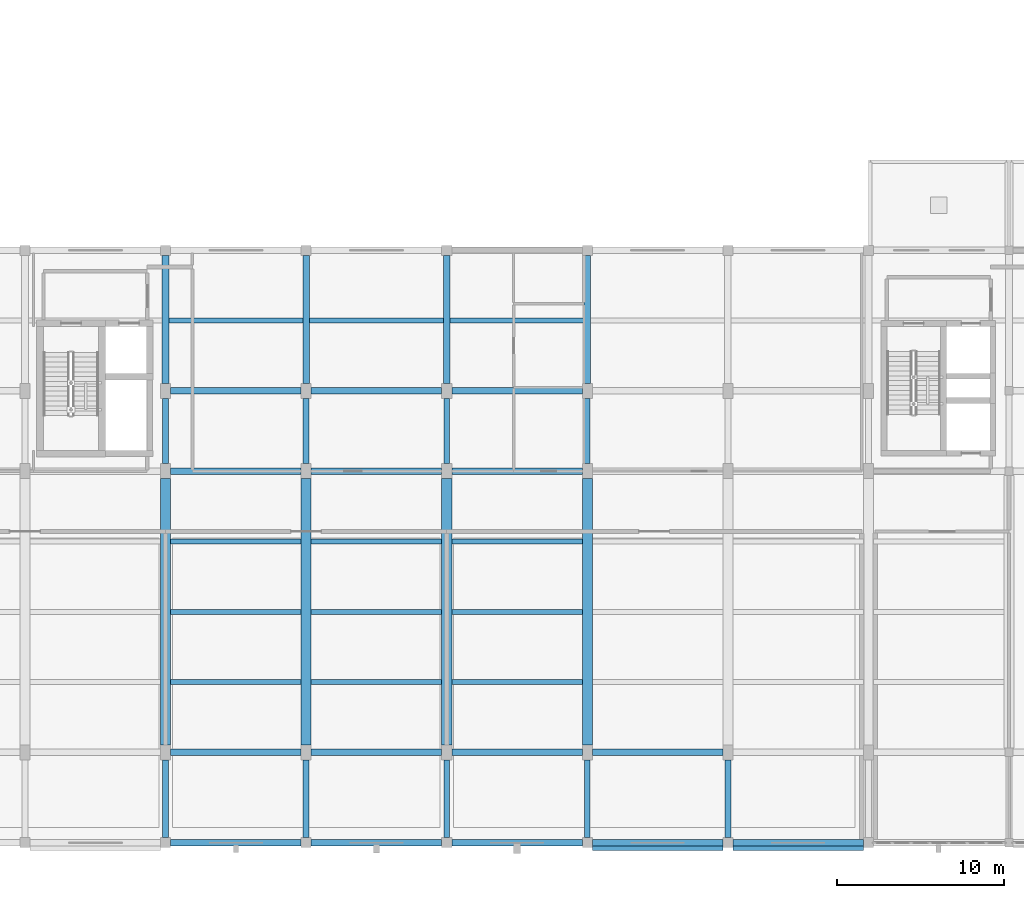
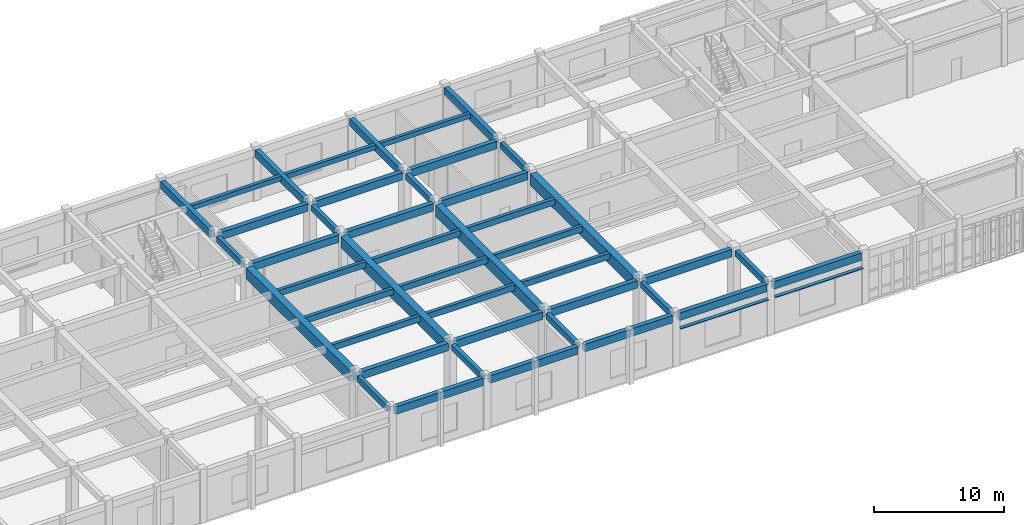
# One storey, part 24 of 93: 44 beams, 2 members.
"""IFC4 building model written with IfcOpenShell, lengths in metres."""

from ifc_helpers import new_model, si_unit, direction, frame, origin, origin_2d, place, context, subcontext, project, spatial, rectangle, hollow_rectangle, extrude, material, material_profile, profile_set, type_object, element, save


model = new_model("IFC4")

# Units and contexts
model_context = context("Model", 3, precision=1e-05, world=origin(), true_north=direction((0.0, 1.0)))
body_context = subcontext(model_context, "Body", "Model", "MODEL_VIEW")
ifc_project = project(units=[si_unit("LENGTHUNIT", "METRE"), si_unit("AREAUNIT", "SQUARE_METRE"), si_unit("VOLUMEUNIT", "CUBIC_METRE"), si_unit("PLANEANGLEUNIT", "RADIAN"), si_unit("MASSUNIT", "GRAM", prefix="KILO")], contexts=[model_context])

# Site, building, storey
site_placement = place(None, origin())
site = spatial("IfcSite", under=ifc_project, at=site_placement, CompositionType="ELEMENT")
building_placement = place(site_placement, origin())
building = spatial("IfcBuilding", under=site, at=building_placement, Name="Krzemoval Escarpment Law Courts", CompositionType="ELEMENT")
storey_placement = place(building_placement, frame((0.0, 0.0, 10.199951171875)))
storey = spatial("IfcBuildingStorey", under=building, at=storey_placement, Name="L02", CompositionType="ELEMENT", Elevation=10.199951171875)

# Beams
ifc_material_1 = material(Name="Concrete C50/60", Category="concrete")
ifc_material_profile_1 = material_profile(ifc_material_1, rectangle(XDim=0.60009765625, YDim=1.050048828125, at=origin_2d()), Name="PTG 600x1050")
ifc_profile_set_1 = profile_set([ifc_material_profile_1], Name="Concrete C50/60")
beam_type_1 = type_object("IfcBeamType", Name="BM-PTG-600x1050", PredefinedType="BEAM", material=ifc_profile_set_1)
for number, where, z_axis, x_axis, name in (
    (1, (67.199951171875, 5.85009765625, 4.295166015625), (0.0, 1.0, 0.0), (-1.0, 0.0, 0.0), "Beam FG-L02-1929"),
    (2, (75.60009765625, 5.85009765625, 4.295166015625), (0.0, 1.0, 0.0), (-1.0, 0.0, 0.0), "Beam FG-L02-1933"),
    (3, (84.0, 5.85009765625, 4.295166015625), (0.0, 1.0, 0.0), (-1.0, 0.0, 0.0), "Beam FG-L02-1937"),
    (4, (92.39990234375, 5.85009765625, 4.295166015625), (0.0, 1.0, 0.0), (-1.0, 0.0, 0.0), "Beam FG-L02-1941"),
):
    element("IfcBeam", number, at=place(storey_placement, frame(where, z_axis=z_axis, x_axis=x_axis)), inside=storey, type_object=beam_type_1, Name=name, PredefinedType="BEAM", context=body_context, shape_type="SweptSolid", body=[
        extrude(rectangle(XDim=0.60009765625, YDim=1.050048828125, at=origin_2d()), origin(), (0.0, 0.0, 1.0), 15.89990234375),
    ])
ifc_material_2 = material(Name="Concrete C40/50", Category="concrete")
ifc_material_profile_2 = material_profile(ifc_material_2, rectangle(XDim=0.35009765625, YDim=0.550048828125, at=origin_2d()), Name="RCB 350x550")
ifc_profile_set_2 = profile_set([ifc_material_profile_2], Name="Concrete C40/50")
beam_type_2 = type_object("IfcBeamType", Name="BM-RC-350x550", PredefinedType="BEAM", material=ifc_profile_set_2)
beam_1_placement = place(storey_placement, frame((67.199951171875, 0.300048828125, 4.545166015625), z_axis=(0.0, 1.0, 0.0), x_axis=(-1.0, 0.0, 0.0)))
element("IfcBeam", 5, at=beam_1_placement, inside=storey, type_object=beam_type_2, Name="Beam FG-L02-1928", PredefinedType="BEAM", context=body_context, shape_type="SweptSolid", body=[
    extrude(rectangle(XDim=0.35009765625, YDim=0.550048828125, at=origin_2d()), origin(), (0.0, 0.0, 1.0), 4.64990234375),
])
beam_2_placement = place(storey_placement, frame((67.199951171875, 22.64990234375, 4.545166015625), z_axis=(0.0, 1.0, 0.0), x_axis=(-1.0, 0.0, 0.0)))
element("IfcBeam", 6, at=beam_2_placement, inside=storey, type_object=beam_type_2, Name="Beam FG-L02-1930", PredefinedType="BEAM", context=body_context, shape_type="SweptSolid", body=[
    extrude(rectangle(XDim=0.35009765625, YDim=0.550048828125, at=origin_2d()), origin(), (0.0, 0.0, 1.0), 3.900146484375),
])
beam_3_placement = place(storey_placement, frame((75.60009765625, 0.300048828125, 4.545166015625), z_axis=(0.0, 1.0, 0.0), x_axis=(-1.0, 0.0, 0.0)))
element("IfcBeam", 7, at=beam_3_placement, inside=storey, type_object=beam_type_2, Name="Beam FG-L02-1932", PredefinedType="BEAM", context=body_context, shape_type="SweptSolid", body=[
    extrude(rectangle(XDim=0.35009765625, YDim=0.550048828125, at=origin_2d()), origin(), (0.0, 0.0, 1.0), 4.64990234375),
])
beam_4_placement = place(storey_placement, frame((75.60009765625, 22.64990234375, 4.545166015625), z_axis=(0.0, 1.0, 0.0), x_axis=(-1.0, 0.0, 0.0)))
element("IfcBeam", 8, at=beam_4_placement, inside=storey, type_object=beam_type_2, Name="Beam FG-L02-1934", PredefinedType="BEAM", context=body_context, shape_type="SweptSolid", body=[
    extrude(rectangle(XDim=0.35009765625, YDim=0.550048828125, at=origin_2d()), origin(), (0.0, 0.0, 1.0), 3.900146484375),
])
beam_5_placement = place(storey_placement, frame((84.0, 0.300048828125, 4.545166015625), z_axis=(0.0, 1.0, 0.0), x_axis=(-1.0, 0.0, 0.0)))
element("IfcBeam", 9, at=beam_5_placement, inside=storey, type_object=beam_type_2, Name="Beam FG-L02-1936", PredefinedType="BEAM", context=body_context, shape_type="SweptSolid", body=[
    extrude(rectangle(XDim=0.35009765625, YDim=0.550048828125, at=origin_2d()), origin(), (0.0, 0.0, 1.0), 4.64990234375),
])
beam_6_placement = place(storey_placement, frame((84.0, 22.64990234375, 4.545166015625), z_axis=(0.0, 1.0, 0.0), x_axis=(-1.0, 0.0, 0.0)))
element("IfcBeam", 10, at=beam_6_placement, inside=storey, type_object=beam_type_2, Name="Beam FG-L02-1938", PredefinedType="BEAM", context=body_context, shape_type="SweptSolid", body=[
    extrude(rectangle(XDim=0.35009765625, YDim=0.550048828125, at=origin_2d()), origin(), (0.0, 0.0, 1.0), 3.900146484375),
])
beam_7_placement = place(storey_placement, frame((92.39990234375, 0.300048828125, 4.545166015625), z_axis=(0.0, 1.0, 0.0), x_axis=(-1.0, 0.0, 0.0)))
element("IfcBeam", 11, at=beam_7_placement, inside=storey, type_object=beam_type_2, Name="Beam FG-L02-1940", PredefinedType="BEAM", context=body_context, shape_type="SweptSolid", body=[
    extrude(rectangle(XDim=0.35009765625, YDim=0.550048828125, at=origin_2d()), origin(), (0.0, 0.0, 1.0), 4.64990234375),
])
beam_8_placement = place(storey_placement, frame((92.39990234375, 22.64990234375, 4.545166015625), z_axis=(0.0, 1.0, 0.0), x_axis=(-1.0, 0.0, 0.0)))
element("IfcBeam", 12, at=beam_8_placement, inside=storey, type_object=beam_type_2, Name="Beam FG-L02-1942", PredefinedType="BEAM", context=body_context, shape_type="SweptSolid", body=[
    extrude(rectangle(XDim=0.35009765625, YDim=0.550048828125, at=origin_2d()), origin(), (0.0, 0.0, 1.0), 3.900146484375),
])
beam_9_placement = place(storey_placement, frame((100.800048828125, 0.300048828125, 4.545166015625), z_axis=(0.0, 1.0, 0.0), x_axis=(-1.0, 0.0, 0.0)))
element("IfcBeam", 13, at=beam_9_placement, inside=storey, type_object=beam_type_2, Name="Beam FG-L02-1944", PredefinedType="BEAM", context=body_context, shape_type="SweptSolid", body=[
    extrude(rectangle(XDim=0.35009765625, YDim=0.550048828125, at=origin_2d()), origin(), (0.0, 0.0, 1.0), 4.64990234375),
])
ifc_material_3 = material(Name="Concrete C40/50", Category="concrete")
ifc_material_profile_3 = material_profile(ifc_material_3, rectangle(XDim=0.39990234375, YDim=0.699951171875, at=origin_2d()), Name="RCB 400x700")
ifc_profile_set_3 = profile_set([ifc_material_profile_3], Name="Concrete C40/50")
beam_type_3 = type_object("IfcBeamType", Name="BM-RC-400x700", PredefinedType="BEAM", material=ifc_profile_set_3)
for number, where, z_axis, x_axis, name in (
    (14, (67.5, 0.0, 4.469970703125), (1.0, 0.0, 0.0), (0.0, 1.0, 0.0), "Beam FG-L02-1711"),
    (15, (75.89990234375, 0.0, 4.469970703125), (1.0, 0.0, 0.0), (0.0, 1.0, 0.0), "Beam FG-L02-1712"),
    (16, (84.300048828125, 0.0, 4.469970703125), (1.0, 0.0, 0.0), (0.0, 1.0, 0.0), "Beam FG-L02-1713"),
    (17, (92.699951171875, 0.0, 4.469970703125), (1.0, 0.0, 0.0), (0.0, 1.0, 0.0), "Beam FG-L02-1714"),
):
    element("IfcBeam", number, at=place(storey_placement, frame(where, z_axis=z_axis, x_axis=x_axis)), inside=storey, type_object=beam_type_3, Name=name, PredefinedType="BEAM", context=body_context, shape_type="SweptSolid", body=[
        extrude(rectangle(XDim=0.39990234375, YDim=0.699951171875, at=origin_2d()), origin(), (0.0, 0.0, 1.0), 7.800048828125),
    ])
beam_10_placement = place(storey_placement, frame((101.10009765625, 0.0, 4.469970703125), z_axis=(1.0, 0.0, 0.0), x_axis=(0.0, 1.0, 0.0)))
element("IfcBeam", 18, at=beam_10_placement, inside=storey, type_object=beam_type_3, Name="Beam FG-L02-1715", PredefinedType="BEAM", context=body_context, shape_type="SweptSolid", body=[
    extrude(rectangle(XDim=0.39990234375, YDim=0.699951171875, at=origin_2d()), origin(), (0.0, 0.0, 1.0), 7.7998046875),
])
for number, where, z_axis, x_axis, name in (
    (19, (67.5, 5.39990234375, 4.469970703125), (1.0, 0.0, 0.0), (0.0, 1.0, 0.0), "Beam FG-L02-1728"),
    (20, (75.89990234375, 5.39990234375, 4.469970703125), (1.0, 0.0, 0.0), (0.0, 1.0, 0.0), "Beam FG-L02-1729"),
    (21, (84.300048828125, 5.39990234375, 4.469970703125), (1.0, 0.0, 0.0), (0.0, 1.0, 0.0), "Beam FG-L02-1730"),
    (22, (92.699951171875, 5.39990234375, 4.469970703125), (1.0, 0.0, 0.0), (0.0, 1.0, 0.0), "Beam FG-L02-1731"),
    (23, (67.5, 22.199951171875, 4.469970703125), (1.0, 0.0, 0.0), (0.0, 1.0, 0.0), "Beam FG-L02-1742"),
    (24, (75.89990234375, 22.199951171875, 4.469970703125), (1.0, 0.0, 0.0), (0.0, 1.0, 0.0), "Beam FG-L02-1743"),
    (25, (84.300048828125, 22.199951171875, 4.469970703125), (1.0, 0.0, 0.0), (0.0, 1.0, 0.0), "Beam FG-L02-1744"),
    (26, (67.5, 27.0, 4.469970703125), (1.0, 0.0, 0.0), (0.0, 1.0, 0.0), "Beam FG-L02-1758"),
    (27, (75.89990234375, 27.0, 4.469970703125), (1.0, 0.0, 0.0), (0.0, 1.0, 0.0), "Beam FG-L02-1759"),
    (28, (84.300048828125, 27.0, 4.469970703125), (1.0, 0.0, 0.0), (0.0, 1.0, 0.0), "Beam FG-L02-1760"),
):
    element("IfcBeam", number, at=place(storey_placement, frame(where, z_axis=z_axis, x_axis=x_axis)), inside=storey, type_object=beam_type_3, Name=name, PredefinedType="BEAM", context=body_context, shape_type="SweptSolid", body=[
        extrude(rectangle(XDim=0.39990234375, YDim=0.699951171875, at=origin_2d()), origin(), (0.0, 0.0, 1.0), 7.800048828125),
    ])
for number, where, z_axis, x_axis, name in (
    (29, (67.199951171875, 27.449951171875, 4.469970703125), (0.0, 1.0, 0.0), (-1.0, 0.0, 0.0), "Beam FG-L02-1931"),
    (30, (75.60009765625, 27.449951171875, 4.469970703125), (0.0, 1.0, 0.0), (-1.0, 0.0, 0.0), "Beam FG-L02-1935"),
    (31, (84.0, 27.449951171875, 4.469970703125), (0.0, 1.0, 0.0), (-1.0, 0.0, 0.0), "Beam FG-L02-1939"),
    (32, (92.39990234375, 27.449951171875, 4.469970703125), (0.0, 1.0, 0.0), (-1.0, 0.0, 0.0), "Beam FG-L02-1943"),
):
    element("IfcBeam", number, at=place(storey_placement, frame(where, z_axis=z_axis, x_axis=x_axis)), inside=storey, type_object=beam_type_3, Name=name, PredefinedType="BEAM", context=body_context, shape_type="SweptSolid", body=[
        extrude(rectangle(XDim=0.39990234375, YDim=0.699951171875, at=origin_2d()), origin(), (0.0, 0.0, 1.0), 7.650146484375),
    ])
ifc_material_4 = material(Name="Concrete C40/50", Category="concrete")
ifc_material_profile_4 = material_profile(ifc_material_4, rectangle(XDim=0.300048828125, YDim=0.449951171875, at=origin_2d()), Name="RCB 300x450")
ifc_profile_set_4 = profile_set([ifc_material_profile_4], Name="Concrete C40/50")
beam_type_4 = type_object("IfcBeamType", Name="JST-RC-300x450", PredefinedType="JOIST", material=ifc_profile_set_4)
for number, where, z_axis, x_axis, name in (
    (33, (67.39990234375, 31.199951171875, 4.594970703125), (1.0, 0.0, 0.0), (0.0, 1.0, 0.0), "Secondary Joist FJ-L02-2046"),
    (34, (75.800048828125, 31.199951171875, 4.594970703125), (1.0, 0.0, 0.0), (0.0, 1.0, 0.0), "Secondary Joist FJ-L02-2050"),
    (35, (84.199951171875, 31.199951171875, 4.594970703125), (1.0, 0.0, 0.0), (0.0, 1.0, 0.0), "Secondary Joist FJ-L02-2054"),
):
    element("IfcBeam", number, at=place(storey_placement, frame(where, z_axis=z_axis, x_axis=x_axis)), inside=storey, type_object=beam_type_4, Name=name, PredefinedType="JOIST", context=body_context, shape_type="SweptSolid", body=[
        extrude(rectangle(XDim=0.300048828125, YDim=0.449951171875, at=origin_2d()), origin(), (0.0, 0.0, 1.0), 8.0),
    ])
ifc_material_5 = material(Name="Concrete C40/50", Category="concrete")
ifc_material_profile_5 = material_profile(ifc_material_5, rectangle(XDim=0.300048828125, YDim=0.550048828125, at=origin_2d()), Name="RCB 300x550")
ifc_profile_set_5 = profile_set([ifc_material_profile_5], Name="Concrete C40/50")
beam_type_5 = type_object("IfcBeamType", Name="JST-RC-300x550", PredefinedType="JOIST", material=ifc_profile_set_5)
for number, where, z_axis, x_axis, name in (
    (36, (67.5, 9.60009765625, 4.545166015625), (1.0, 0.0, 0.0), (0.0, 1.0, 0.0), "Secondary Joist FJ-L02-2043"),
    (37, (67.5, 13.800048828125, 4.545166015625), (1.0, 0.0, 0.0), (0.0, 1.0, 0.0), "Secondary Joist FJ-L02-2044"),
    (38, (67.5, 18.0, 4.545166015625), (1.0, 0.0, 0.0), (0.0, 1.0, 0.0), "Secondary Joist FJ-L02-2045"),
    (39, (75.89990234375, 9.60009765625, 4.545166015625), (1.0, 0.0, 0.0), (0.0, 1.0, 0.0), "Secondary Joist FJ-L02-2047"),
    (40, (75.89990234375, 13.800048828125, 4.545166015625), (1.0, 0.0, 0.0), (0.0, 1.0, 0.0), "Secondary Joist FJ-L02-2048"),
    (41, (75.89990234375, 18.0, 4.545166015625), (1.0, 0.0, 0.0), (0.0, 1.0, 0.0), "Secondary Joist FJ-L02-2049"),
    (42, (84.300048828125, 9.60009765625, 4.545166015625), (1.0, 0.0, 0.0), (0.0, 1.0, 0.0), "Secondary Joist FJ-L02-2051"),
    (43, (84.300048828125, 13.800048828125, 4.545166015625), (1.0, 0.0, 0.0), (0.0, 1.0, 0.0), "Secondary Joist FJ-L02-2052"),
    (44, (84.300048828125, 18.0, 4.545166015625), (1.0, 0.0, 0.0), (0.0, 1.0, 0.0), "Secondary Joist FJ-L02-2053"),
):
    element("IfcBeam", number, at=place(storey_placement, frame(where, z_axis=z_axis, x_axis=x_axis)), inside=storey, type_object=beam_type_5, Name=name, PredefinedType="JOIST", context=body_context, shape_type="SweptSolid", body=[
        extrude(rectangle(XDim=0.300048828125, YDim=0.550048828125, at=origin_2d()), origin(), (0.0, 0.0, 1.0), 7.800048828125),
    ])

# Members
ifc_material_6 = material(Name="Anodised Aluminium Alloy 6063-T6", Category="aluminium")
ifc_material_profile_6 = material_profile(ifc_material_6, hollow_rectangle(XDim=0.06005859375, YDim=0.320068359375, WallThickness=0.00390625, at=origin_2d()), Name="ALU LVR 60x320")
ifc_profile_set_6 = profile_set([ifc_material_profile_6], Name="Anodised Aluminium Alloy 6063-T6")
member_type = type_object("IfcMemberType", Name="LVR-ALU-320", PredefinedType="USERDEFINED", material=ifc_profile_set_6)
member_1_placement = place(storey_placement, frame((108.89990234375, -0.320068359375, 3.510009765625), z_axis=(-1.0, 0.0, 0.0), x_axis=(0.0, 0.0, 1.0)))
element("IfcMember", 45, at=member_1_placement, inside=storey, type_object=member_type, Name="Window Sunshade Louvre FLV-L02-0555", ObjectType="SUNSHADE_LOUVRE", PredefinedType="USERDEFINED", context=body_context, shape_type="SweptSolid", body=[
    extrude(hollow_rectangle(XDim=0.06005859375, YDim=0.320068359375, WallThickness=0.00390625, at=origin_2d()), origin(), (0.0, 0.0, 1.0), 7.7998046875),
])
member_2_placement = place(storey_placement, frame((100.5, -0.320068359375, 3.510009765625), z_axis=(-1.0, 0.0, 0.0), x_axis=(0.0, 0.0, 1.0)))
element("IfcMember", 46, at=member_2_placement, inside=storey, type_object=member_type, Name="Window Sunshade Louvre FLV-L02-0556", ObjectType="SUNSHADE_LOUVRE", PredefinedType="USERDEFINED", context=body_context, shape_type="SweptSolid", body=[
    extrude(hollow_rectangle(XDim=0.06005859375, YDim=0.320068359375, WallThickness=0.00390625, at=origin_2d()), origin(), (0.0, 0.0, 1.0), 7.800048828125),
])

save(model, "model.ifc")
